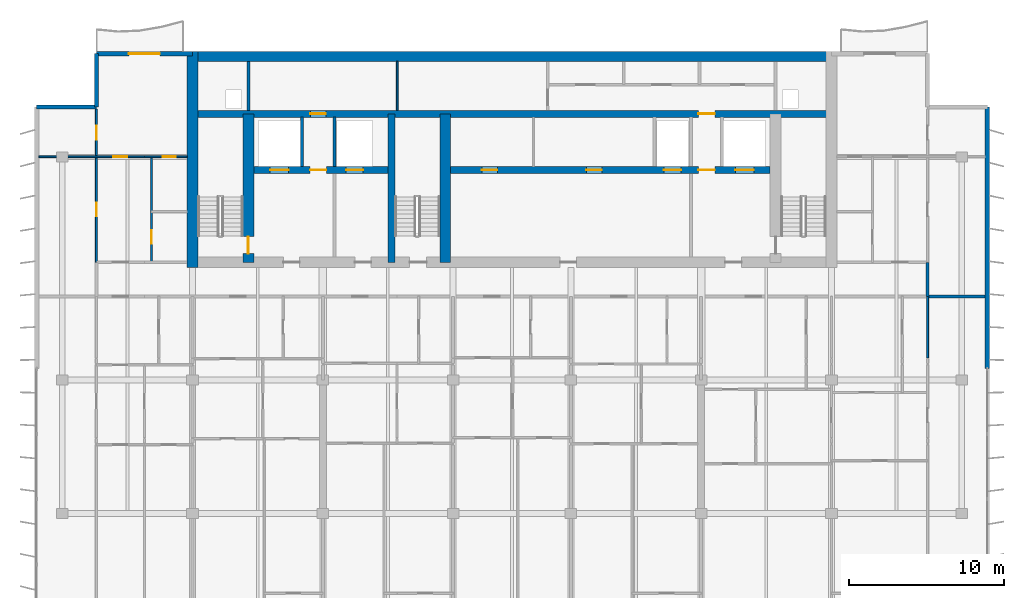
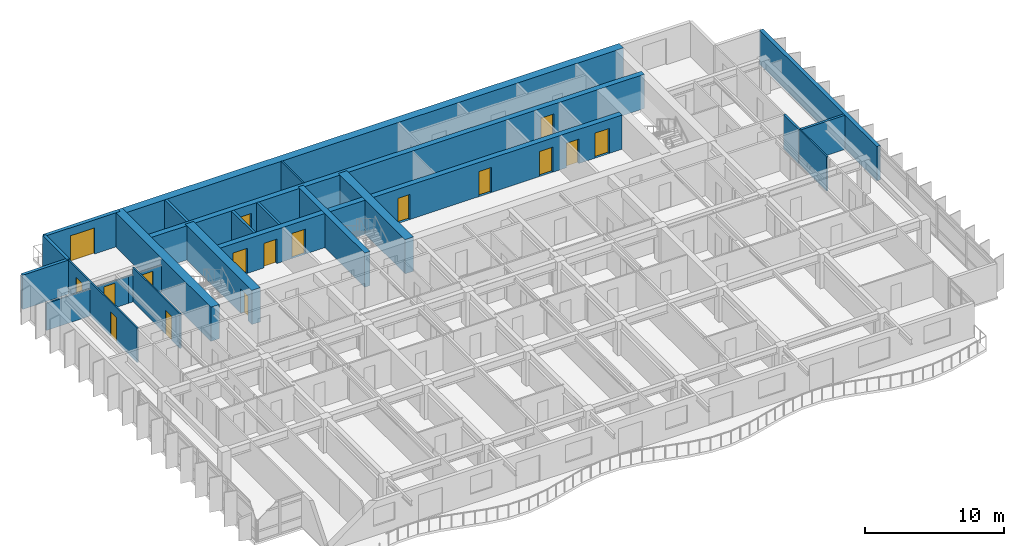
# One storey, part 10 of 16: 22 walls, 17 doors, 17 openings.
"""IFC4 building model written with IfcOpenShell, lengths in metres."""

from ifc_helpers import new_model, si_unit, direction, frame, frame_2d, origin, place, context, subcontext, project, spatial, rectangle, extrude, material, layer, layer_set, type_object, element, fill, save


model = new_model("IFC4")

# Units and contexts
model_context = context("Model", 3, precision=1e-05, world=origin(), true_north=direction((0.0, 1.0)))
body_context = subcontext(model_context, "Body", "Model", "MODEL_VIEW")
ifc_project = project(units=[si_unit("LENGTHUNIT", "METRE"), si_unit("AREAUNIT", "SQUARE_METRE"), si_unit("VOLUMEUNIT", "CUBIC_METRE"), si_unit("PLANEANGLEUNIT", "RADIAN"), si_unit("MASSUNIT", "GRAM", prefix="KILO")], contexts=[model_context])

# Site, building, storey
site_placement = place(None, origin())
site = spatial("IfcSite", under=ifc_project, at=site_placement, CompositionType="ELEMENT")
building_placement = place(site_placement, origin())
building = spatial("IfcBuilding", under=site, at=building_placement, Name="Caelmar Bay Residences", CompositionType="ELEMENT")
storey_placement = place(building_placement, frame((0.0, 0.0, 266.10009765625)))
storey = spatial("IfcBuildingStorey", under=building, at=storey_placement, Name="L75", CompositionType="ELEMENT", Elevation=266.10009765625)

# Wall
ifc_material_1 = material(Name="Concrete f'c 55 MPa (8,000 psi)", Category="concrete")
ifc_layer_1 = layer(ifc_material_1, 0.699951171875)
ifc_layer_set_1 = layer_set([ifc_layer_1], Name="Concrete f'c 55 MPa (8,000 psi)")
wall_type_1 = type_object("IfcWallType", Name="SW-COR-700", PredefinedType="SHEAR", material=ifc_layer_set_1)
wall_1_placement = place(storey_placement, frame((18.300048828125, 36.64990234375, 0.0), z_axis=(0.0, 0.0, 1.0), x_axis=(0.0, 1.0, 0.0)))
element("IfcWall", 1, at=wall_1_placement, inside=storey, type_object=wall_type_1, Name="L75 Rear Core West Shear Wall", PredefinedType="SHEAR", context=body_context, shape_type="SweptSolid", body=[
    extrude(rectangle(XDim=13.9501953125, YDim=0.699951171875, at=frame_2d((6.97509765625, 0.0))), origin(), (0.0, 0.0, 1.0), 3.0),
])

# Wall, opening, door
wall_2_placement = place(storey_placement, frame((21.89990234375, 37.0, 0.0), z_axis=(0.0, 0.0, 1.0), x_axis=(0.0, 1.0, 0.0)))
wall_2 = element("IfcWall", 2, at=wall_2_placement, inside=storey, type_object=wall_type_1, Name="L75 Core Structural Web Wall ST1E", PredefinedType="SHEAR", context=body_context, shape_type="SweptSolid", body=[
    extrude(rectangle(XDim=9.574951171875, YDim=0.699951171875, at=frame_2d((4.78759765625, 0.0))), origin(), (0.0, 0.0, 1.0), 3.0),
])
opening_1_placement = place(wall_2_placement, frame((0.550048828125, 0.0, 0.0)))
opening_1 = element("IfcOpeningElement", 3, at=opening_1_placement, cuts=wall_2, Name="Opening D-L75-107", PredefinedType="OPENING", context=body_context, shape_type="SweptSolid", body=[
    extrude(rectangle(XDim=1.10009765625, YDim=2.14990234375, at=frame_2d((0.550048828125, 1.074951171875))), frame((0.0, 0.35986328125, 0.0), z_axis=(0.0, -1.0, 0.0), x_axis=(1.0, 0.0, 0.0)), (0.0, 0.0, 1.0), 0.719970703125),
])
ifc_material_2 = material(Name="Fire-rated steel and walnut architectural door assembly", Category="steel")
ifc_layer_2 = layer(ifc_material_2, 0.050048828125)
ifc_layer_set_2 = layer_set([ifc_layer_2], Name="Fire-rated steel and walnut architectural door assembly")
door_type_1 = type_object("IfcDoorType", Name="D-STAIR-1100", OperationType="NOTDEFINED", PredefinedType="DOOR", material=ifc_layer_set_2)
door_1_placement = place(opening_1_placement, origin())
door_1 = element("IfcDoor", 4, at=door_1_placement, inside=storey, type_object=door_type_1, Name="L75 Firefighting Lobby West Door", OperationType="SINGLE_SWING_LEFT", OverallHeight=2.14990234375, OverallWidth=1.10009765625, PredefinedType="DOOR", context=body_context, shape_type="SweptSolid", body=[
    extrude(rectangle(XDim=1.10009765625, YDim=2.14990234375, at=frame_2d((0.550048828125, 1.074951171875))), frame((0.0, 0.02490234375, 0.0), z_axis=(0.0, -1.0, 0.0), x_axis=(1.0, 0.0, 0.0)), (0.0, 0.0, 1.0), 0.050048828125),
])
fill(opening_1, door_1)

# Walls
wall_3_placement = place(storey_placement, frame((34.60009765625, 37.0, 0.0), z_axis=(0.0, 0.0, 1.0), x_axis=(0.0, 1.0, 0.0)))
element("IfcWall", 5, at=wall_3_placement, inside=storey, type_object=wall_type_1, Name="L75 Core Structural Web Wall ST3E", PredefinedType="SHEAR", context=body_context, shape_type="SweptSolid", body=[
    extrude(rectangle(XDim=9.574951171875, YDim=0.699951171875, at=frame_2d((4.78759765625, 0.0))), origin(), (0.0, 0.0, 1.0), 3.0),
])
ifc_layer_3 = layer(ifc_material_1, 0.64990234375)
ifc_layer_set_3 = layer_set([ifc_layer_3], Name="Concrete f'c 55 MPa (8,000 psi)")
wall_type_2 = type_object("IfcWallType", Name="SW-CORN-650", PredefinedType="SHEAR", material=ifc_layer_set_3)
wall_4_placement = place(storey_placement, frame((17.949951171875, 50.27490234375, 0.0), z_axis=(0.0, 0.0, 1.0), x_axis=(1.0, 0.0, 0.0)))
element("IfcWall", 6, at=wall_4_placement, inside=storey, type_object=wall_type_2, Name="L75 Rear Core North Shear Wall", PredefinedType="SHEAR", context=body_context, shape_type="SweptSolid", body=[
    extrude(rectangle(XDim=41.900146484375, YDim=0.64990234375, at=frame_2d((20.9501953125, 0.0))), origin(), (0.0, 0.0, 1.0), 3.0),
])
ifc_material_3 = material(Name="Concrete f'c 70 MPa (10,000 psi)", Category="concrete")
ifc_layer_4 = layer(ifc_material_3, 0.449951171875)
ifc_layer_set_4 = layer_set([ifc_layer_4], Name="Concrete f'c 70 MPa (10,000 psi)")
wall_type_3 = type_object("IfcWallType", Name="SW-WEB-450", PredefinedType="SHEAR", material=ifc_layer_set_4)
wall_5_placement = place(storey_placement, frame((31.125, 37.0, 0.0), z_axis=(0.0, 0.0, 1.0), x_axis=(0.0, 1.0, 0.0)))
element("IfcWall", 7, at=wall_5_placement, inside=storey, type_object=wall_type_3, Name="L75 Core Structural Web Wall ST3W", PredefinedType="SHEAR", context=body_context, shape_type="SweptSolid", body=[
    extrude(rectangle(XDim=9.574951171875, YDim=0.449951171875, at=frame_2d((4.78759765625, 0.0))), origin(), (0.0, 0.0, 1.0), 3.0),
])

# Wall, openings, doors
wall_6_placement = place(storey_placement, frame((22.25, 42.949951171875, 0.0), z_axis=(0.0, 0.0, 1.0), x_axis=(1.0, 0.0, 0.0)))
wall_6 = element("IfcWall", 8, at=wall_6_placement, inside=storey, type_object=wall_type_3, Name="L75 Core Structural Web Wall LFR", PredefinedType="SHEAR", context=body_context, shape_type="SweptSolid", body=[
    extrude(rectangle(XDim=33.300048828125, YDim=0.449951171875, at=frame_2d((16.64990234375, 0.0))), origin(), (0.0, 0.0, 1.0), 3.0),
])
opening_2_placement = place(wall_6_placement, frame((1.050048828125, 0.0, 0.0)))
opening_2 = element("IfcOpeningElement", 9, at=opening_2_placement, cuts=wall_6, Name="Opening LD2", PredefinedType="OPENING", context=body_context, shape_type="SweptSolid", body=[
    extrude(rectangle(XDim=1.199951171875, YDim=2.199951171875, at=frame_2d((0.60009765625, 1.10009765625))), frame((0.0, 0.23486328125, 0.0), z_axis=(0.0, -1.0, 0.0), x_axis=(1.0, 0.0, 0.0)), (0.0, 0.0, 1.0), 0.469970703125),
])
opening_3_placement = place(wall_6_placement, frame((31.050048828125, 0.0, 0.0)))
opening_3 = element("IfcOpeningElement", 10, at=opening_3_placement, cuts=wall_6, Name="Opening LD2", PredefinedType="OPENING", context=body_context, shape_type="SweptSolid", body=[
    extrude(rectangle(XDim=1.199951171875, YDim=2.199951171875, at=frame_2d((0.60009765625, 1.10009765625))), frame((0.0, 0.23486328125, 0.0), z_axis=(0.0, -1.0, 0.0), x_axis=(1.0, 0.0, 0.0)), (0.0, 0.0, 1.0), 0.469970703125),
])
opening_4_placement = place(wall_6_placement, frame((26.449951171875, 0.0, 0.0)))
opening_4 = element("IfcOpeningElement", 11, at=opening_4_placement, cuts=wall_6, Name="Opening LD1", PredefinedType="OPENING", context=body_context, shape_type="SweptSolid", body=[
    extrude(rectangle(XDim=1.10009765625, YDim=2.199951171875, at=frame_2d((0.550048828125, 1.10009765625))), frame((0.0, 0.23486328125, 0.0), z_axis=(0.0, -1.0, 0.0), x_axis=(1.0, 0.0, 0.0)), (0.0, 0.0, 1.0), 0.469970703125),
])
opening_5_placement = place(wall_6_placement, frame((5.949951171875, 0.0, 0.0)))
opening_5 = element("IfcOpeningElement", 12, at=opening_5_placement, cuts=wall_6, Name="Opening LD1", PredefinedType="OPENING", context=body_context, shape_type="SweptSolid", body=[
    extrude(rectangle(XDim=1.10009765625, YDim=2.199951171875, at=frame_2d((0.550048828125, 1.10009765625))), frame((0.0, 0.23486328125, 0.0), z_axis=(0.0, -1.0, 0.0), x_axis=(1.0, 0.0, 0.0)), (0.0, 0.0, 1.0), 0.469970703125),
])
opening_6_placement = place(wall_6_placement, frame((3.625, 0.0, 0.0)))
opening_6 = element("IfcOpeningElement", 13, at=opening_6_placement, cuts=wall_6, Name="Opening D-L75-108", PredefinedType="OPENING", context=body_context, shape_type="SweptSolid", body=[
    extrude(rectangle(XDim=1.050048828125, YDim=2.14990234375, at=frame_2d((0.52490234375, 1.074951171875))), frame((0.0, 0.23486328125, 0.0), z_axis=(0.0, -1.0, 0.0), x_axis=(1.0, 0.0, 0.0)), (0.0, 0.0, 1.0), 0.469970703125),
])
opening_7_placement = place(wall_6_placement, frame((28.675048828125, 0.0, 0.0)))
opening_7 = element("IfcOpeningElement", 14, at=opening_7_placement, cuts=wall_6, Name="Opening D-L75-111", PredefinedType="OPENING", context=body_context, shape_type="SweptSolid", body=[
    extrude(rectangle(XDim=1.050048828125, YDim=2.14990234375, at=frame_2d((0.52490234375, 1.074951171875))), frame((0.0, 0.23486328125, 0.0), z_axis=(0.0, -1.0, 0.0), x_axis=(1.0, 0.0, 0.0)), (0.0, 0.0, 1.0), 0.469970703125),
])
opening_8_placement = place(wall_6_placement, frame((14.699951171875, 0.0, 0.0)))
opening_8 = element("IfcOpeningElement", 15, at=opening_8_placement, cuts=wall_6, Name="Opening D-L75-114", PredefinedType="OPENING", context=body_context, shape_type="SweptSolid", body=[
    extrude(rectangle(XDim=1.0, YDim=2.199951171875, at=frame_2d((0.5, 1.10009765625))), frame((0.0, 0.23486328125, 0.0), z_axis=(0.0, -1.0, 0.0), x_axis=(1.0, 0.0, 0.0)), (0.0, 0.0, 1.0), 0.469970703125),
])
opening_9_placement = place(wall_6_placement, frame((21.449951171875, 0.0, 0.0)))
opening_9 = element("IfcOpeningElement", 16, at=opening_9_placement, cuts=wall_6, Name="Opening D-L75-115", PredefinedType="OPENING", context=body_context, shape_type="SweptSolid", body=[
    extrude(rectangle(XDim=1.0, YDim=2.199951171875, at=frame_2d((0.5, 1.10009765625))), frame((0.0, 0.23486328125, 0.0), z_axis=(0.0, -1.0, 0.0), x_axis=(1.0, 0.0, 0.0)), (0.0, 0.0, 1.0), 0.469970703125),
])
ifc_layer_5 = layer(ifc_material_2, 0.050048828125)
ifc_layer_set_5 = layer_set([ifc_layer_5], Name="Fire-rated steel and walnut architectural door assembly")
door_type_2 = type_object("IfcDoorType", Name="D-FSAE-1050", OperationType="NOTDEFINED", PredefinedType="DOOR", material=ifc_layer_set_5)
door_2_placement = place(opening_6_placement, origin())
door_2 = element("IfcDoor", 17, at=door_2_placement, inside=storey, type_object=door_type_2, Name="L75 Firefighting Lobby West Door", OperationType="SINGLE_SWING_RIGHT", OverallHeight=2.14990234375, OverallWidth=1.050048828125, PredefinedType="DOOR", context=body_context, shape_type="SweptSolid", body=[
    extrude(rectangle(XDim=1.050048828125, YDim=2.14990234375, at=frame_2d((0.52490234375, 1.074951171875))), frame((0.0, 0.02490234375, 0.0), z_axis=(0.0, -1.0, 0.0), x_axis=(1.0, 0.0, 0.0)), (0.0, 0.0, 1.0), 0.050048828125),
])
fill(opening_6, door_2)
door_3_placement = place(opening_7_placement, origin())
door_3 = element("IfcDoor", 18, at=door_3_placement, inside=storey, type_object=door_type_2, Name="L75 Firefighting Lobby East Door", OperationType="SINGLE_SWING_LEFT", OverallHeight=2.14990234375, OverallWidth=1.050048828125, PredefinedType="DOOR", context=body_context, shape_type="SweptSolid", body=[
    extrude(rectangle(XDim=1.050048828125, YDim=2.14990234375, at=frame_2d((0.52490234375, 1.074951171875))), frame((0.0, 0.02490234375, 0.0), z_axis=(0.0, -1.0, 0.0), x_axis=(1.0, 0.0, 0.0)), (0.0, 0.0, 1.0), 0.050048828125),
])
fill(opening_7, door_3)
ifc_material_4 = material(Name="Brushed bronze stainless-steel fire-rated lift landing doors", Category="steel")
ifc_layer_6 = layer(ifc_material_4, 0.050048828125)
ifc_layer_set_6 = layer_set([ifc_layer_6], Name="Brushed bronze stainless-steel fire-rated lift landing doors")
door_type_3 = type_object("IfcDoorType", Name="D-LND-1100", OperationType="DOUBLE_DOOR_SLIDING", PredefinedType="DOOR", material=ifc_layer_set_6)
door_4_placement = place(opening_4_placement, origin())
door_4 = element("IfcDoor", 19, at=door_4_placement, inside=storey, type_object=door_type_3, Name="L75 LP6 Sliding Landing Door", OperationType="DOUBLE_DOOR_SLIDING", OverallHeight=2.199951171875, OverallWidth=1.10009765625, PredefinedType="DOOR", context=body_context, shape_type="SweptSolid", body=[
    extrude(rectangle(XDim=1.10009765625, YDim=2.199951171875, at=frame_2d((0.550048828125, 1.10009765625))), frame((0.0, 0.02490234375, 0.0), z_axis=(0.0, -1.0, 0.0), x_axis=(1.0, 0.0, 0.0)), (0.0, 0.0, 1.0), 0.050048828125),
])
fill(opening_4, door_4)
door_5_placement = place(opening_5_placement, origin())
door_5 = element("IfcDoor", 20, at=door_5_placement, inside=storey, type_object=door_type_3, Name="L75 LP7 Sliding Landing Door", OperationType="DOUBLE_DOOR_SLIDING", OverallHeight=2.199951171875, OverallWidth=1.10009765625, PredefinedType="DOOR", context=body_context, shape_type="SweptSolid", body=[
    extrude(rectangle(XDim=1.10009765625, YDim=2.199951171875, at=frame_2d((0.550048828125, 1.10009765625))), frame((0.0, 0.02490234375, 0.0), z_axis=(0.0, -1.0, 0.0), x_axis=(1.0, 0.0, 0.0)), (0.0, 0.0, 1.0), 0.050048828125),
])
fill(opening_5, door_5)
ifc_material_5 = material(Name="Brushed stainless-steel FSAE sliding landing door", Category="steel")
ifc_layer_7 = layer(ifc_material_5, 0.050048828125)
ifc_layer_set_7 = layer_set([ifc_layer_7], Name="Brushed stainless-steel FSAE sliding landing door")
door_type_4 = type_object("IfcDoorType", Name="D-LND-1200", OperationType="DOUBLE_DOOR_SLIDING", PredefinedType="DOOR", material=ifc_layer_set_7)
door_6_placement = place(opening_2_placement, origin())
door_6 = element("IfcDoor", 21, at=door_6_placement, inside=storey, type_object=door_type_4, Name="L75 LF1 Sliding Landing Door", OperationType="DOUBLE_DOOR_SLIDING", OverallHeight=2.199951171875, OverallWidth=1.199951171875, PredefinedType="DOOR", context=body_context, shape_type="SweptSolid", body=[
    extrude(rectangle(XDim=1.199951171875, YDim=2.199951171875, at=frame_2d((0.60009765625, 1.10009765625))), frame((0.0, 0.02490234375, 0.0), z_axis=(0.0, -1.0, 0.0), x_axis=(1.0, 0.0, 0.0)), (0.0, 0.0, 1.0), 0.050048828125),
])
fill(opening_2, door_6)
door_7_placement = place(opening_3_placement, origin())
door_7 = element("IfcDoor", 22, at=door_7_placement, inside=storey, type_object=door_type_4, Name="L75 LF2 Sliding Landing Door", OperationType="DOUBLE_DOOR_SLIDING", OverallHeight=2.199951171875, OverallWidth=1.199951171875, PredefinedType="DOOR", context=body_context, shape_type="SweptSolid", body=[
    extrude(rectangle(XDim=1.199951171875, YDim=2.199951171875, at=frame_2d((0.60009765625, 1.10009765625))), frame((0.0, 0.02490234375, 0.0), z_axis=(0.0, -1.0, 0.0), x_axis=(1.0, 0.0, 0.0)), (0.0, 0.0, 1.0), 0.050048828125),
])
fill(opening_3, door_7)
ifc_layer_8 = layer(ifc_material_2, 0.050048828125)
ifc_layer_set_8 = layer_set([ifc_layer_8], Name="Fire-rated steel and walnut architectural door assembly")
door_type_5 = type_object("IfcDoorType", Name="D-UNIT-1000", OperationType="NOTDEFINED", PredefinedType="DOOR", material=ifc_layer_set_8)
door_8_placement = place(opening_8_placement, origin())
door_8 = element("IfcDoor", 23, at=door_8_placement, inside=storey, type_object=door_type_5, Name="L75 Executive Study Door", OperationType="SINGLE_SWING_RIGHT", OverallHeight=2.199951171875, OverallWidth=1.0, PredefinedType="DOOR", context=body_context, shape_type="SweptSolid", body=[
    extrude(rectangle(XDim=1.0, YDim=2.199951171875, at=frame_2d((0.5, 1.10009765625))), frame((0.0, 0.02490234375, 0.0), z_axis=(0.0, -1.0, 0.0), x_axis=(1.0, 0.0, 0.0)), (0.0, 0.0, 1.0), 0.050048828125),
])
fill(opening_8, door_8)
door_9_placement = place(opening_9_placement, origin())
door_9 = element("IfcDoor", 24, at=door_9_placement, inside=storey, type_object=door_type_5, Name="L75 Residents Reading Lounge Door", OperationType="SINGLE_SWING_LEFT", OverallHeight=2.199951171875, OverallWidth=1.0, PredefinedType="DOOR", context=body_context, shape_type="SweptSolid", body=[
    extrude(rectangle(XDim=1.0, YDim=2.199951171875, at=frame_2d((0.5, 1.10009765625))), frame((0.0, 0.02490234375, 0.0), z_axis=(0.0, -1.0, 0.0), x_axis=(1.0, 0.0, 0.0)), (0.0, 0.0, 1.0), 0.050048828125),
])
fill(opening_9, door_9)

wall_7_placement = place(storey_placement, frame((18.300048828125, 46.574951171875, 0.0), z_axis=(0.0, 0.0, 1.0), x_axis=(1.0, 0.0, 0.0)))
wall_7 = element("IfcWall", 25, at=wall_7_placement, inside=storey, type_object=wall_type_3, Name="L75 Core Structural Web Wall SRVS", PredefinedType="SHEAR", context=body_context, shape_type="SweptSolid", body=[
    extrude(rectangle(XDim=41.199951171875, YDim=0.449951171875, at=frame_2d((20.60009765625, 0.0))), origin(), (0.0, 0.0, 1.0), 3.0),
])
opening_10_placement = place(wall_7_placement, frame((7.60009765625, 0.0, 0.0)))
opening_10 = element("IfcOpeningElement", 26, at=opening_10_placement, cuts=wall_7, Name="Opening D-L75-116", PredefinedType="OPENING", context=body_context, shape_type="SweptSolid", body=[
    extrude(rectangle(XDim=1.0, YDim=2.199951171875, at=frame_2d((0.5, 1.10009765625))), frame((0.0, 0.23486328125, 0.0), z_axis=(0.0, -1.0, 0.0), x_axis=(1.0, 0.0, 0.0)), (0.0, 0.0, 1.0), 0.469970703125),
])
opening_11_placement = place(wall_7_placement, frame((32.625, 0.0, 0.0)))
opening_11 = element("IfcOpeningElement", 27, at=opening_11_placement, cuts=wall_7, Name="Opening D-L75-117", PredefinedType="OPENING", context=body_context, shape_type="SweptSolid", body=[
    extrude(rectangle(XDim=1.050048828125, YDim=2.14990234375, at=frame_2d((0.52490234375, 1.074951171875))), frame((0.0, 0.23486328125, 0.0), z_axis=(0.0, -1.0, 0.0), x_axis=(1.0, 0.0, 0.0)), (0.0, 0.0, 1.0), 0.469970703125),
])
door_10_placement = place(opening_11_placement, origin())
door_10 = element("IfcDoor", 28, at=door_10_placement, inside=storey, type_object=door_type_2, Name="L75 East Core Service Corridor Door", OperationType="SINGLE_SWING_LEFT", OverallHeight=2.14990234375, OverallWidth=1.050048828125, PredefinedType="DOOR", context=body_context, shape_type="SweptSolid", body=[
    extrude(rectangle(XDim=1.050048828125, YDim=2.14990234375, at=frame_2d((0.52490234375, 1.074951171875))), frame((0.0, 0.02490234375, 0.0), z_axis=(0.0, -1.0, 0.0), x_axis=(1.0, 0.0, 0.0)), (0.0, 0.0, 1.0), 0.050048828125),
])
fill(opening_11, door_10)
door_11_placement = place(opening_10_placement, origin())
door_11 = element("IfcDoor", 29, at=door_11_placement, inside=storey, type_object=door_type_5, Name="L75 Package Concierge Office Door", OperationType="SINGLE_SWING_RIGHT", OverallHeight=2.199951171875, OverallWidth=1.0, PredefinedType="DOOR", context=body_context, shape_type="SweptSolid", body=[
    extrude(rectangle(XDim=1.0, YDim=2.199951171875, at=frame_2d((0.5, 1.10009765625))), frame((0.0, 0.02490234375, 0.0), z_axis=(0.0, -1.0, 0.0), x_axis=(1.0, 0.0, 0.0)), (0.0, 0.0, 1.0), 0.050048828125),
])
fill(opening_10, door_11)

# Walls
ifc_material_6 = material(Name="Double-stud acoustic fire-rated gypsum partition 180 mm")
ifc_layer_9 = layer(ifc_material_6, 0.179931640625)
ifc_layer_set_9 = layer_set([ifc_layer_9], Name="Double-stud acoustic fire-rated gypsum partition 180 mm")
wall_type_4 = type_object("IfcWallType", Name="W-COR-200", PredefinedType="PARTITIONING", material=ifc_layer_set_9)
wall_8_placement = place(storey_placement, frame((65.699951171875, 34.804931640625, 0.0), z_axis=(0.0, 0.0, 1.0), x_axis=(0.0, 1.0, 0.0)))
element("IfcWall", 30, at=wall_8_placement, inside=storey, type_object=wall_type_4, Name="L75 Partition Wall V102", PredefinedType="PARTITIONING", context=body_context, shape_type="SweptSolid", body=[
    extrude(rectangle(XDim=2.195068359375, YDim=0.179931640625, at=frame_2d((1.09765625, 0.0))), origin(), (0.0, 0.0, 1.0), 3.0),
])
ifc_material_7 = material(Name="Precast concrete f'c 40 MPa (6,000 psi)", Category="concrete")
ifc_layer_10 = layer(ifc_material_7, 0.25)
ifc_layer_set_10 = layer_set([ifc_layer_10], Name="Precast concrete f'c 40 MPa (6,000 psi)")
wall_type_5 = type_object("IfcWallType", Name="W-EXT-250", PredefinedType="ELEMENTEDWALL", material=ifc_layer_set_10)
wall_9_placement = place(storey_placement, frame((8.25, 47.0, 0.0), z_axis=(0.0, 0.0, 1.0), x_axis=(1.0, 0.0, 0.0)))
element("IfcWall", 31, at=wall_9_placement, inside=storey, type_object=wall_type_5, Name="L75 NNW-H Notch Wall", PredefinedType="ELEMENTEDWALL", context=body_context, shape_type="SweptSolid", body=[
    extrude(rectangle(XDim=3.85009765625, YDim=0.25, at=frame_2d((1.925048828125, 0.0))), origin(), (0.0, 0.0, 1.0), 3.0),
])
wall_10_placement = place(storey_placement, frame((12.10009765625, 47.0, 0.0), z_axis=(0.0, 0.0, 1.0), x_axis=(0.0, 1.0, 0.0)))
element("IfcWall", 32, at=wall_10_placement, inside=storey, type_object=wall_type_5, Name="L75 NNW-V Notch Wall", PredefinedType="ELEMENTEDWALL", context=body_context, shape_type="SweptSolid", body=[
    extrude(rectangle(XDim=3.449951171875, YDim=0.25, at=frame_2d((1.72509765625, 0.0))), origin(), (0.0, 0.0, 1.0), 3.0),
])
ifc_layer_11 = layer(ifc_material_7, 0.300048828125)
ifc_layer_set_11 = layer_set([ifc_layer_11], Name="Precast concrete f'c 40 MPa (6,000 psi)")
wall_type_6 = type_object("IfcWallType", Name="W-EXT-300", PredefinedType="STANDARD", material=ifc_layer_set_11)
wall_11_placement = place(storey_placement, frame((69.550048828125, 47.0, 0.0), z_axis=(0.0, 0.0, 1.0), x_axis=(0.0, -1.0, 0.0)))
element("IfcWall", 33, at=wall_11_placement, inside=storey, type_object=wall_type_6, Name="L75 East Rear Exterior Wall", PredefinedType="STANDARD", context=body_context, shape_type="SweptSolid", body=[
    extrude(rectangle(XDim=16.85009765625, YDim=0.300048828125, at=frame_2d((8.425048828125, 0.0))), origin(), (0.0, 0.0, 1.0), 3.0),
])

# Wall, opening, door
wall_12_placement = place(storey_placement, frame((12.10009765625, 50.449951171875, 0.0), z_axis=(0.0, 0.0, 1.0), x_axis=(1.0, 0.0, 0.0)))
wall_12 = element("IfcWall", 34, at=wall_12_placement, inside=storey, type_object=wall_type_6, Name="L75 North-West Wing Exterior Wall", PredefinedType="STANDARD", context=body_context, shape_type="SweptSolid", body=[
    extrude(rectangle(XDim=6.199951171875, YDim=0.300048828125, at=frame_2d((3.10009765625, 0.0))), origin(), (0.0, 0.0, 1.0), 3.0),
])
opening_12_placement = place(wall_12_placement, frame((2.10009765625, 0.0, 0.0)))
opening_12 = element("IfcOpeningElement", 35, at=opening_12_placement, cuts=wall_12, Name="Opening L75-BDNW", PredefinedType="OPENING", context=body_context, shape_type="SweptSolid", body=[
    extrude(rectangle(XDim=2.0, YDim=2.300048828125, at=frame_2d((1.0, 1.14990234375))), frame((0.0, 0.159912109375, 0.0), z_axis=(0.0, -1.0, 0.0), x_axis=(1.0, 0.0, 0.0)), (0.0, 0.0, 1.0), 0.320068359375),
])
ifc_material_8 = material(Name="Anodised bronze thermally broken sliding glass door", Category="glass")
ifc_layer_12 = layer(ifc_material_8, 0.050048828125)
ifc_layer_set_12 = layer_set([ifc_layer_12], Name="Anodised bronze thermally broken sliding glass door")
door_type_6 = type_object("IfcDoorType", Name="D-BAL-2000", OperationType="DOUBLE_DOOR_SLIDING", PredefinedType="DOOR", material=ifc_layer_set_12)
door_12_placement = place(opening_12_placement, origin())
door_12 = element("IfcDoor", 36, at=door_12_placement, inside=storey, type_object=door_type_6, Name="L75 North-West Balcony Door", OperationType="DOUBLE_DOOR_SLIDING", OverallHeight=2.300048828125, OverallWidth=2.0, PredefinedType="DOOR", context=body_context, shape_type="SweptSolid", body=[
    extrude(rectangle(XDim=2.0, YDim=2.300048828125, at=frame_2d((1.0, 1.14990234375))), frame((0.0, 0.02490234375, 0.0), z_axis=(0.0, -1.0, 0.0), x_axis=(1.0, 0.0, 0.0)), (0.0, 0.0, 1.0), 0.050048828125),
])
fill(opening_12, door_12)

# Walls
ifc_material_9 = material(Name="Fire-rated masonry and gypsum shaftliner assembly 200 mm", Category="masonry")
ifc_layer_13 = layer(ifc_material_9, 0.199951171875)
ifc_layer_set_13 = layer_set([ifc_layer_13], Name="Fire-rated masonry and gypsum shaftliner assembly 200 mm")
wall_type_7 = type_object("IfcWallType", Name="W-FSAE-200", PredefinedType="PARTITIONING", material=ifc_layer_set_13)
wall_13_placement = place(storey_placement, frame((21.89990234375, 46.794921875, 0.0), z_axis=(0.0, 0.0, 1.0), x_axis=(0.0, 1.0, 0.0)))
element("IfcWall", 37, at=wall_13_placement, inside=storey, type_object=wall_type_7, Name="L75 Partition Wall V021", PredefinedType="PARTITIONING", context=body_context, shape_type="SweptSolid", body=[
    extrude(rectangle(XDim=3.16015625, YDim=0.199951171875, at=frame_2d((1.580078125, 0.0))), origin(), (0.0, 0.0, 1.0), 3.0),
])
for number, where, z_axis, x_axis, name in (
    (38, (25.35009765625, 43.169921875, 0.0), (0.0, 0.0, 1.0), (0.0, 1.0, 0.0), "L75 Partition Wall V028"),
    (39, (27.449951171875, 43.169921875, 0.0), (0.0, 0.0, 1.0), (0.0, 1.0, 0.0), "L75 Partition Wall V035"),
):
    element("IfcWall", number, at=place(storey_placement, frame(where, z_axis=z_axis, x_axis=x_axis)), inside=storey, type_object=wall_type_7, Name=name, PredefinedType="PARTITIONING", context=body_context, shape_type="SweptSolid", body=[
        extrude(rectangle(XDim=3.18505859375, YDim=0.199951171875, at=frame_2d((1.592529296875, 0.0))), origin(), (0.0, 0.0, 1.0), 3.0),
    ])

# Wall, openings, doors
ifc_material_10 = material(Name="Acoustic metal-stud gypsum partition 120 mm")
ifc_layer_14 = layer(ifc_material_10, 0.1201171875)
ifc_layer_set_14 = layer_set([ifc_layer_14], Name="Acoustic metal-stud gypsum partition 120 mm")
wall_type_8 = type_object("IfcWallType", Name="W-PRT-120", PredefinedType="PARTITIONING", material=ifc_layer_set_14)
wall_14_placement = place(storey_placement, frame((12.10009765625, 37.0048828125, 0.0), z_axis=(0.0, 0.0, 1.0), x_axis=(0.0, 1.0, 0.0)))
wall_14 = element("IfcWall", 40, at=wall_14_placement, inside=storey, type_object=wall_type_8, Name="L75 Partition Wall V007", PredefinedType="PARTITIONING", context=body_context, shape_type="SweptSolid", body=[
    extrude(rectangle(XDim=9.875, YDim=0.1201171875, at=frame_2d((4.9375, 0.0))), origin(), (0.0, 0.0, 1.0), 3.0),
])
opening_13_placement = place(wall_14_placement, frame((2.947509765625, 0.0, 0.0)))
opening_13 = element("IfcOpeningElement", 41, at=opening_13_placement, cuts=wall_14, Name="Opening D-L75-171", PredefinedType="OPENING", context=body_context, shape_type="SweptSolid", body=[
    extrude(rectangle(XDim=0.89990234375, YDim=2.14990234375, at=frame_2d((0.449951171875, 1.074951171875))), frame((0.0, 0.070068359375, 0.0), z_axis=(0.0, -1.0, 0.0), x_axis=(1.0, 0.0, 0.0)), (0.0, 0.0, 1.0), 0.14013671875),
])
opening_14_placement = place(wall_14_placement, frame((7.885009765625, 0.0, 0.0)))
opening_14 = element("IfcOpeningElement", 42, at=opening_14_placement, cuts=wall_14, Name="Opening D-L75-172", PredefinedType="OPENING", context=body_context, shape_type="SweptSolid", body=[
    extrude(rectangle(XDim=0.89990234375, YDim=2.14990234375, at=frame_2d((0.449951171875, 1.074951171875))), frame((0.0, 0.070068359375, 0.0), z_axis=(0.0, -1.0, 0.0), x_axis=(1.0, 0.0, 0.0)), (0.0, 0.0, 1.0), 0.14013671875),
])
ifc_material_11 = material(Name="Solid walnut timber interior door leaf and frame", Category="wood")
ifc_layer_15 = layer(ifc_material_11, 0.050048828125)
ifc_layer_set_15 = layer_set([ifc_layer_15], Name="Solid walnut timber interior door leaf and frame")
door_type_7 = type_object("IfcDoorType", Name="D-ROOM-900", OperationType="NOTDEFINED", PredefinedType="DOOR", material=ifc_layer_set_15)
door_13_placement = place(opening_13_placement, origin())
door_13 = element("IfcDoor", 43, at=door_13_placement, inside=storey, type_object=door_type_7, Name="L75 Residence WA Sun Study Door", OperationType="SINGLE_SWING_LEFT", OverallHeight=2.14990234375, OverallWidth=0.89990234375, PredefinedType="DOOR", context=body_context, shape_type="SweptSolid", body=[
    extrude(rectangle(XDim=0.89990234375, YDim=2.14990234375, at=frame_2d((0.449951171875, 1.074951171875))), frame((0.0, 0.02490234375, 0.0), z_axis=(0.0, -1.0, 0.0), x_axis=(1.0, 0.0, 0.0)), (0.0, 0.0, 1.0), 0.050048828125),
])
fill(opening_13, door_13)
door_14_placement = place(opening_14_placement, origin())
door_14 = element("IfcDoor", 44, at=door_14_placement, inside=storey, type_object=door_type_7, Name="L75 Residence WA North Sitting Alcove Door", OperationType="SINGLE_SWING_RIGHT", OverallHeight=2.14990234375, OverallWidth=0.89990234375, PredefinedType="DOOR", context=body_context, shape_type="SweptSolid", body=[
    extrude(rectangle(XDim=0.89990234375, YDim=2.14990234375, at=frame_2d((0.449951171875, 1.074951171875))), frame((0.0, 0.02490234375, 0.0), z_axis=(0.0, -1.0, 0.0), x_axis=(1.0, 0.0, 0.0)), (0.0, 0.0, 1.0), 0.050048828125),
])
fill(opening_14, door_14)

# Wall, opening, door
wall_15_placement = place(storey_placement, frame((15.64990234375, 37.0, 0.0), z_axis=(0.0, 0.0, 1.0), x_axis=(0.0, 1.0, 0.0)))
wall_15 = element("IfcWall", 45, at=wall_15_placement, inside=storey, type_object=wall_type_8, Name="L75 Partition Wall V012", PredefinedType="PARTITIONING", context=body_context, shape_type="SweptSolid", body=[
    extrude(rectangle(XDim=6.800048828125, YDim=0.1201171875, at=frame_2d((3.39990234375, 0.0))), origin(), (0.0, 0.0, 1.0), 3.0),
])
opening_15_placement = place(wall_15_placement, frame((1.20703125, 0.0, 0.0)))
opening_15 = element("IfcOpeningElement", 46, at=opening_15_placement, cuts=wall_15, Name="Opening D-L75-169", PredefinedType="OPENING", context=body_context, shape_type="SweptSolid", body=[
    extrude(rectangle(XDim=0.85009765625, YDim=2.10009765625, at=frame_2d((0.425048828125, 1.050048828125))), frame((0.0, 0.070068359375, 0.0), z_axis=(0.0, -1.0, 0.0), x_axis=(1.0, 0.0, 0.0)), (0.0, 0.0, 1.0), 0.14013671875),
])
ifc_layer_16 = layer(ifc_material_11, 0.050048828125)
ifc_layer_set_16 = layer_set([ifc_layer_16], Name="Solid walnut timber interior door leaf and frame")
door_type_8 = type_object("IfcDoorType", Name="D-BATH-850", OperationType="NOTDEFINED", PredefinedType="DOOR", material=ifc_layer_set_16)
door_15_placement = place(opening_15_placement, origin())
door_15 = element("IfcDoor", 47, at=door_15_placement, inside=storey, type_object=door_type_8, Name="L75 Residence WA Walk-In Closet Door", OperationType="SINGLE_SWING_LEFT", OverallHeight=2.10009765625, OverallWidth=0.85009765625, PredefinedType="DOOR", context=body_context, shape_type="SweptSolid", body=[
    extrude(rectangle(XDim=0.85009765625, YDim=2.10009765625, at=frame_2d((0.425048828125, 1.050048828125))), frame((0.0, 0.02490234375, 0.0), z_axis=(0.0, -1.0, 0.0), x_axis=(1.0, 0.0, 0.0)), (0.0, 0.0, 1.0), 0.050048828125),
])
fill(opening_15, door_15)

# Walls
wall_16_placement = place(storey_placement, frame((31.5, 46.794921875, 0.0), z_axis=(0.0, 0.0, 1.0), x_axis=(0.0, 1.0, 0.0)))
element("IfcWall", 48, at=wall_16_placement, inside=storey, type_object=wall_type_8, Name="L75 Partition Wall V040", PredefinedType="PARTITIONING", context=body_context, shape_type="SweptSolid", body=[
    extrude(rectangle(XDim=3.16015625, YDim=0.1201171875, at=frame_2d((1.580078125, 0.0))), origin(), (0.0, 0.0, 1.0), 3.0),
])
wall_17_placement = place(storey_placement, frame((65.699951171875, 30.840087890625, 0.0), z_axis=(0.0, 0.0, 1.0), x_axis=(0.0, 1.0, 0.0)))
element("IfcWall", 49, at=wall_17_placement, inside=storey, type_object=wall_type_8, Name="L75 Partition Wall V101", PredefinedType="PARTITIONING", context=body_context, shape_type="SweptSolid", body=[
    extrude(rectangle(XDim=3.9599609375, YDim=0.1201171875, at=frame_2d((1.97998046875, 0.0))), origin(), (0.0, 0.0, 1.0), 3.0),
])

# Wall, opening, door
wall_18_placement = place(storey_placement, frame((8.39501953125, 43.800048828125, 0.0), z_axis=(0.0, 0.0, 1.0), x_axis=(1.0, 0.0, 0.0)))
wall_18 = element("IfcWall", 50, at=wall_18_placement, inside=storey, type_object=wall_type_8, Name="L75 Partition Wall H137", PredefinedType="PARTITIONING", context=body_context, shape_type="SweptSolid", body=[
    extrude(rectangle(XDim=6.802978515625, YDim=0.1201171875, at=frame_2d((3.4013671875, 0.0))), origin(), (0.0, 0.0, 1.0), 2.367919921875),
])
opening_16_placement = place(wall_18_placement, frame((4.803955078125, 0.0, 0.0)))
opening_16 = element("IfcOpeningElement", 51, at=opening_16_placement, cuts=wall_18, Name="Opening D-L75-168", PredefinedType="OPENING", context=body_context, shape_type="SweptSolid", body=[
    extrude(rectangle(XDim=0.89990234375, YDim=2.14990234375, at=frame_2d((0.449951171875, 1.074951171875))), frame((0.0, 0.070068359375, 0.0), z_axis=(0.0, -1.0, 0.0), x_axis=(1.0, 0.0, 0.0)), (0.0, 0.0, 1.0), 0.14013671875),
])
door_16_placement = place(opening_16_placement, origin())
door_16 = element("IfcDoor", 52, at=door_16_placement, inside=storey, type_object=door_type_7, Name="L75 Residence WA Studio Living and Sleeping Room Door", OperationType="SINGLE_SWING_RIGHT", OverallHeight=2.14990234375, OverallWidth=0.89990234375, PredefinedType="DOOR", context=body_context, shape_type="SweptSolid", body=[
    extrude(rectangle(XDim=0.89990234375, YDim=2.14990234375, at=frame_2d((0.449951171875, 1.074951171875))), frame((0.0, 0.02490234375, 0.0), z_axis=(0.0, -1.0, 0.0), x_axis=(1.0, 0.0, 0.0)), (0.0, 0.0, 1.0), 0.050048828125),
])
fill(opening_16, door_16)

wall_19_placement = place(storey_placement, frame((15.202880859375, 43.800048828125, 0.0), z_axis=(0.0, 0.0, 1.0), x_axis=(1.0, 0.0, 0.0)))
wall_19 = element("IfcWall", 53, at=wall_19_placement, inside=storey, type_object=wall_type_8, Name="L75 Partition Wall H138", PredefinedType="PARTITIONING", context=body_context, shape_type="SweptSolid", body=[
    extrude(rectangle(XDim=2.752197265625, YDim=0.1201171875, at=frame_2d((1.3759765625, 0.0))), origin(), (0.0, 0.0, 1.0), 2.367919921875),
])
opening_17_placement = place(wall_19_placement, frame((1.174560546875, 0.0, 0.0)))
opening_17 = element("IfcOpeningElement", 54, at=opening_17_placement, cuts=wall_19, Name="Opening D-L75-170", PredefinedType="OPENING", context=body_context, shape_type="SweptSolid", body=[
    extrude(rectangle(XDim=0.85009765625, YDim=2.10009765625, at=frame_2d((0.425048828125, 1.050048828125))), frame((0.0, 0.070068359375, 0.0), z_axis=(0.0, -1.0, 0.0), x_axis=(1.0, 0.0, 0.0)), (0.0, 0.0, 1.0), 0.14013671875),
])
door_17_placement = place(opening_17_placement, origin())
door_17 = element("IfcDoor", 55, at=door_17_placement, inside=storey, type_object=door_type_8, Name="L75 Residence WA Bathroom Door", OperationType="SINGLE_SWING_RIGHT", OverallHeight=2.10009765625, OverallWidth=0.85009765625, PredefinedType="DOOR", context=body_context, shape_type="SweptSolid", body=[
    extrude(rectangle(XDim=0.85009765625, YDim=2.10009765625, at=frame_2d((0.425048828125, 1.050048828125))), frame((0.0, 0.02490234375, 0.0), z_axis=(0.0, -1.0, 0.0), x_axis=(1.0, 0.0, 0.0)), (0.0, 0.0, 1.0), 0.050048828125),
])
fill(opening_17, door_17)

# Wall
ifc_material_12 = material(Name="Acoustic twin-stud fire-rated inter-tenancy partition 200 mm")
ifc_layer_17 = layer(ifc_material_12, 0.199951171875)
ifc_layer_set_17 = layer_set([ifc_layer_17], Name="Acoustic twin-stud fire-rated inter-tenancy partition 200 mm")
wall_type_9 = type_object("IfcWallType", Name="W-PTY-200", PredefinedType="PARTITIONING", material=ifc_layer_set_17)
wall_20_placement = place(storey_placement, frame((65.705078125, 34.800048828125, 0.0), z_axis=(0.0, 0.0, 1.0), x_axis=(1.0, 0.0, 0.0)))
element("IfcWall", 56, at=wall_20_placement, inside=storey, type_object=wall_type_9, Name="L75 Partition Wall H131", PredefinedType="PARTITIONING", context=body_context, shape_type="SweptSolid", body=[
    extrude(rectangle(XDim=3.699951171875, YDim=0.199951171875, at=frame_2d((1.85009765625, 0.0))), origin(), (0.0, 0.0, 1.0), 3.0),
])

save(model, "model.ifc")
